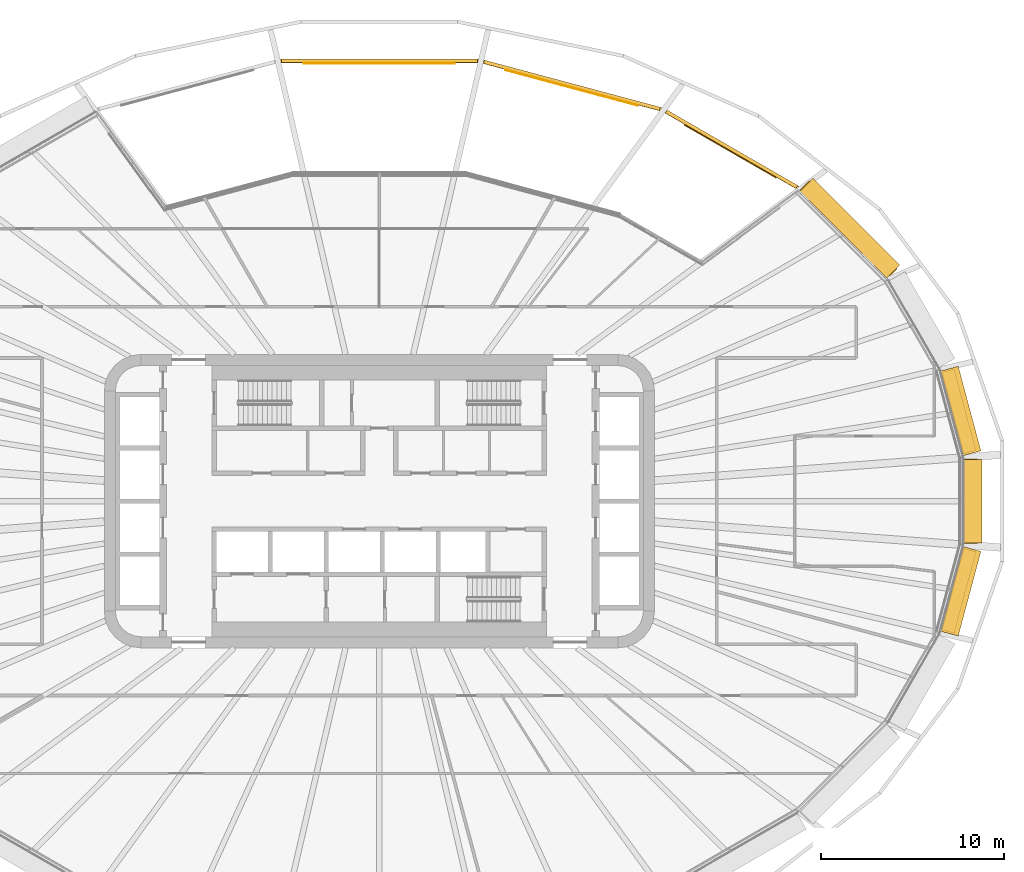
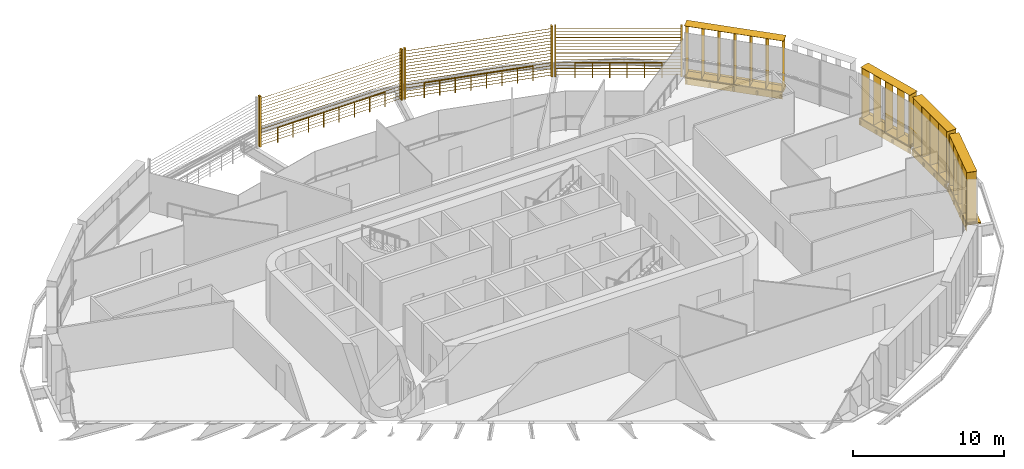
# One storey, part 24 of 24: 11 shading devices, 3 railings.
"""IFC4 building model written with IfcOpenShell, lengths in metres."""

from ifc_helpers import new_model, si_unit, direction, frame, origin, origin_2d, place, context, subcontext, project, spatial, rectangle, circle, extrude, material, type_object, element, save


model = new_model("IFC4")

# Units and contexts
model_context = context("Model", 3, precision=1e-05, world=origin(), true_north=direction((0.0, 1.0)))
body_context = subcontext(model_context, "Body", "Model", "MODEL_VIEW")
ifc_project = project(units=[si_unit("LENGTHUNIT", "METRE"), si_unit("AREAUNIT", "SQUARE_METRE"), si_unit("VOLUMEUNIT", "CUBIC_METRE"), si_unit("PLANEANGLEUNIT", "RADIAN"), si_unit("MASSUNIT", "GRAM", prefix="KILO")], contexts=[model_context])

# Site, building, storey
site_placement = place(None, origin())
site = spatial("IfcSite", under=ifc_project, at=site_placement, CompositionType="ELEMENT")
building_placement = place(site_placement, origin())
building = spatial("IfcBuilding", under=site, at=building_placement, Name="Sahrelin Media Tower", CompositionType="ELEMENT")
storey_placement = place(building_placement, frame((0.0, 0.0, 123.0)))
storey = spatial("IfcBuildingStorey", under=building, at=storey_placement, Name="L24", CompositionType="ELEMENT", Elevation=123.0)

# Shading devices
ifc_material_1 = material(Name="Champagne anodised aluminium 6063-T6", Category="aluminium")
shading_device_type_1 = type_object("IfcShadingDeviceType", Name="Fin cassette", PredefinedType="USERDEFINED", material=ifc_material_1)
placement_1 = place(storey_placement, frame((31.84228515625, 0.0, 0.0), z_axis=(0.0, 0.0, 1.0), x_axis=(0.0, -1.0, 0.0)))
element("IfcShadingDevice", 1, at=placement_1, inside=storey, type_object=shading_device_type_1, Name="L24:FIN:L24-00", ObjectType="FIN", PredefinedType="USERDEFINED", context=body_context, shape_type="SweptSolid", body=[
    extrude(rectangle(XDim=4.60009765625, YDim=0.699951171875, at=origin_2d()), frame((0.0, 0.419921875, 0.0)), (0.0, 0.0, 1.0), 0.02001953125),
    extrude(rectangle(XDim=4.60009765625, YDim=0.699951171875, at=origin_2d()), frame((0.0, 0.419921875, 4.10009765625)), (0.0, 0.0, 1.0), 0.02001953125),
    extrude(rectangle(XDim=0.02001953125, YDim=0.699951171875, at=origin_2d()), frame((-2.199951171875, 0.419921875, 0.010009765625), z_axis=(0.0, 0.0, 1.0), x_axis=(1.0, 0.0, 0.0)), (0.0, 0.0, 1.0), 4.10009765625),
    extrude(rectangle(XDim=0.02001953125, YDim=0.699951171875, at=origin_2d()), frame((-1.10009765625, 0.419921875, 0.010009765625), z_axis=(0.0, 0.0, 1.0), x_axis=(1.0, 0.0, 0.0)), (0.0, 0.0, 1.0), 4.10009765625),
    extrude(rectangle(XDim=0.02001953125, YDim=0.699951171875, at=origin_2d()), frame((0.0, 0.419921875, 0.010009765625), z_axis=(0.0, 0.0, 1.0), x_axis=(1.0, 0.0, 0.0)), (0.0, 0.0, 1.0), 4.10009765625),
    extrude(rectangle(XDim=0.02001953125, YDim=0.699951171875, at=origin_2d()), frame((1.10009765625, 0.419921875, 0.010009765625), z_axis=(0.0, 0.0, 1.0), x_axis=(1.0, 0.0, 0.0)), (0.0, 0.0, 1.0), 4.10009765625),
    extrude(rectangle(XDim=0.02001953125, YDim=0.699951171875, at=origin_2d()), frame((2.199951171875, 0.419921875, 0.010009765625), z_axis=(0.0, 0.0, 1.0), x_axis=(1.0, 0.0, 0.0)), (0.0, 0.0, 1.0), 4.10009765625),
])
placement_2 = place(storey_placement, frame((31.198486328125, 4.78271484375, 0.0), z_axis=(0.0, 0.0, 1.0), x_axis=(0.258807731996, -0.965928857556, 0.0)))
element("IfcShadingDevice", 2, at=placement_2, inside=storey, type_object=shading_device_type_1, Name="L24:FIN:L24-01", ObjectType="FIN", PredefinedType="USERDEFINED", context=body_context, shape_type="SweptSolid", body=[
    extrude(rectangle(XDim=4.60009765625, YDim=0.699951171875, at=origin_2d()), frame((0.0, 0.419921875, 0.0)), (0.0, 0.0, 1.0), 0.02001953125),
    extrude(rectangle(XDim=4.60009765625, YDim=0.699951171875, at=origin_2d()), frame((0.0, 0.419921875, 4.10009765625)), (0.0, 0.0, 1.0), 0.02001953125),
    extrude(rectangle(XDim=0.02001953125, YDim=0.699951171875, at=origin_2d()), frame((-2.199951171875, 0.419921875, 0.010009765625), z_axis=(0.0, 0.0, 1.0), x_axis=(1.0, 0.0, 0.0)), (0.0, 0.0, 1.0), 4.10009765625),
    extrude(rectangle(XDim=0.02001953125, YDim=0.699951171875, at=origin_2d()), frame((-1.10009765625, 0.419921875, 0.010009765625), z_axis=(0.0, 0.0, 1.0), x_axis=(1.0, 0.0, 0.0)), (0.0, 0.0, 1.0), 4.10009765625),
    extrude(rectangle(XDim=0.02001953125, YDim=0.699951171875, at=origin_2d()), frame((0.0, 0.419921875, 0.010009765625), z_axis=(0.0, 0.0, 1.0), x_axis=(1.0, 0.0, 0.0)), (0.0, 0.0, 1.0), 4.10009765625),
    extrude(rectangle(XDim=0.02001953125, YDim=0.699951171875, at=origin_2d()), frame((1.10009765625, 0.419921875, 0.010009765625), z_axis=(0.0, 0.0, 1.0), x_axis=(1.0, 0.0, 0.0)), (0.0, 0.0, 1.0), 4.10009765625),
    extrude(rectangle(XDim=0.02001953125, YDim=0.699951171875, at=origin_2d()), frame((2.199951171875, 0.419921875, 0.010009765625), z_axis=(0.0, 0.0, 1.0), x_axis=(1.0, 0.0, 0.0)), (0.0, 0.0, 1.0), 4.10009765625),
])
placement_3 = place(storey_placement, frame((25.291259765625, 14.52197265625, 0.0), z_axis=(0.0, 0.0, 1.0), x_axis=(0.707106781187, -0.707106781187, 0.0)))
element("IfcShadingDevice", 3, at=placement_3, inside=storey, type_object=shading_device_type_1, Name="L24:FIN:L24-03", ObjectType="FIN", PredefinedType="USERDEFINED", context=body_context, shape_type="SweptSolid", body=[
    extrude(rectangle(XDim=6.800048828125, YDim=0.699951171875, at=origin_2d()), frame((0.0, 0.419921875, 0.0)), (0.0, 0.0, 1.0), 0.02001953125),
    extrude(rectangle(XDim=6.800048828125, YDim=0.699951171875, at=origin_2d()), frame((0.0, 0.419921875, 4.10009765625)), (0.0, 0.0, 1.0), 0.02001953125),
    extrude(rectangle(XDim=0.02001953125, YDim=0.699951171875, at=origin_2d()), frame((-3.300048828125, 0.419921875, 0.010009765625), z_axis=(0.0, 0.0, 1.0), x_axis=(1.0, 0.0, 0.0)), (0.0, 0.0, 1.0), 4.10009765625),
    extrude(rectangle(XDim=0.02001953125, YDim=0.699951171875, at=origin_2d()), frame((-2.199951171875, 0.419921875, 0.010009765625), z_axis=(0.0, 0.0, 1.0), x_axis=(1.0, 0.0, 0.0)), (0.0, 0.0, 1.0), 4.10009765625),
    extrude(rectangle(XDim=0.02001953125, YDim=0.699951171875, at=origin_2d()), frame((-1.10009765625, 0.419921875, 0.010009765625), z_axis=(0.0, 0.0, 1.0), x_axis=(1.0, 0.0, 0.0)), (0.0, 0.0, 1.0), 4.10009765625),
    extrude(rectangle(XDim=0.02001953125, YDim=0.699951171875, at=origin_2d()), frame((0.0, 0.419921875, 0.010009765625), z_axis=(0.0, 0.0, 1.0), x_axis=(1.0, 0.0, 0.0)), (0.0, 0.0, 1.0), 4.10009765625),
    extrude(rectangle(XDim=0.02001953125, YDim=0.699951171875, at=origin_2d()), frame((1.10009765625, 0.419921875, 0.010009765625), z_axis=(0.0, 0.0, 1.0), x_axis=(1.0, 0.0, 0.0)), (0.0, 0.0, 1.0), 4.10009765625),
    extrude(rectangle(XDim=0.02001953125, YDim=0.699951171875, at=origin_2d()), frame((2.199951171875, 0.419921875, 0.010009765625), z_axis=(0.0, 0.0, 1.0), x_axis=(1.0, 0.0, 0.0)), (0.0, 0.0, 1.0), 4.10009765625),
    extrude(rectangle(XDim=0.02001953125, YDim=0.699951171875, at=origin_2d()), frame((3.300048828125, 0.419921875, 0.010009765625), z_axis=(0.0, 0.0, 1.0), x_axis=(1.0, 0.0, 0.0)), (0.0, 0.0, 1.0), 4.10009765625),
])
placement_4 = place(storey_placement, frame((31.198486328125, -4.78271484375, 0.0), z_axis=(0.0, 0.0, 1.0), x_axis=(-0.258807731996, -0.965928857556, 0.0)))
element("IfcShadingDevice", 4, at=placement_4, inside=storey, type_object=shading_device_type_1, Name="L24:FIN:L24-23", ObjectType="FIN", PredefinedType="USERDEFINED", context=body_context, shape_type="SweptSolid", body=[
    extrude(rectangle(XDim=4.60009765625, YDim=0.699951171875, at=origin_2d()), frame((0.0, 0.419921875, 0.0)), (0.0, 0.0, 1.0), 0.02001953125),
    extrude(rectangle(XDim=4.60009765625, YDim=0.699951171875, at=origin_2d()), frame((0.0, 0.419921875, 4.10009765625)), (0.0, 0.0, 1.0), 0.02001953125),
    extrude(rectangle(XDim=0.02001953125, YDim=0.699951171875, at=origin_2d()), frame((-2.199951171875, 0.419921875, 0.010009765625), z_axis=(0.0, 0.0, 1.0), x_axis=(1.0, 0.0, 0.0)), (0.0, 0.0, 1.0), 4.10009765625),
    extrude(rectangle(XDim=0.02001953125, YDim=0.699951171875, at=origin_2d()), frame((-1.10009765625, 0.419921875, 0.010009765625), z_axis=(0.0, 0.0, 1.0), x_axis=(1.0, 0.0, 0.0)), (0.0, 0.0, 1.0), 4.10009765625),
    extrude(rectangle(XDim=0.02001953125, YDim=0.699951171875, at=origin_2d()), frame((0.0, 0.419921875, 0.010009765625), z_axis=(0.0, 0.0, 1.0), x_axis=(1.0, 0.0, 0.0)), (0.0, 0.0, 1.0), 4.10009765625),
    extrude(rectangle(XDim=0.02001953125, YDim=0.699951171875, at=origin_2d()), frame((1.10009765625, 0.419921875, 0.010009765625), z_axis=(0.0, 0.0, 1.0), x_axis=(1.0, 0.0, 0.0)), (0.0, 0.0, 1.0), 4.10009765625),
    extrude(rectangle(XDim=0.02001953125, YDim=0.699951171875, at=origin_2d()), frame((2.199951171875, 0.419921875, 0.010009765625), z_axis=(0.0, 0.0, 1.0), x_axis=(1.0, 0.0, 0.0)), (0.0, 0.0, 1.0), 4.10009765625),
])
shading_device_type_2 = type_object("IfcShadingDeviceType", Name="Garden screen", PredefinedType="USERDEFINED", material=ifc_material_1)
shading_device_5_placement = place(storey_placement, frame((19.147216796875, 19.09716796875, 0.0), z_axis=(0.0, 0.0, 1.0), x_axis=(0.866019052629, -0.500011000363, 0.0)))
element("IfcShadingDevice", 5, at=shading_device_5_placement, inside=storey, type_object=shading_device_type_2, Name="L24:SCREEN:L24-04", ObjectType="SCREEN", PredefinedType="USERDEFINED", context=body_context, shape_type="SweptSolid", body=[
    extrude(rectangle(XDim=0.1201171875, YDim=0.199951171875, at=origin_2d()), frame((4.17626953125, 0.10009765625, 0.050048828125), z_axis=(0.0, 0.0, 1.0), x_axis=(1.0, 0.0, 0.0)), (0.0, 0.0, 1.0), 4.099853515625),
    extrude(rectangle(XDim=0.1201171875, YDim=0.199951171875, at=origin_2d()), frame((-4.17626953125, 0.10009765625, 0.050048828125), z_axis=(0.0, 0.0, 1.0), x_axis=(1.0, 0.0, 0.0)), (0.0, 0.0, 1.0), 4.099853515625),
    extrude(rectangle(XDim=0.25, YDim=0.02001953125, at=origin_2d()), frame((4.1162109375, 0.10009765625, 0.14990234375), z_axis=(-1.0, 0.0, 0.0), x_axis=(0.0, -0.766044443119, 0.642787609687)), (0.0, 0.0, 1.0), 8.232421875),
    extrude(rectangle(XDim=0.25, YDim=0.02001953125, at=origin_2d()), frame((4.1162109375, 0.10009765625, 0.39990234375), z_axis=(-1.0, 0.0, 0.0), x_axis=(0.0, -0.766044443119, 0.642787609687)), (0.0, 0.0, 1.0), 8.232421875),
    extrude(rectangle(XDim=0.25, YDim=0.02001953125, at=origin_2d()), frame((4.1162109375, 0.10009765625, 0.64990234375), z_axis=(-1.0, 0.0, 0.0), x_axis=(0.0, -0.766044443119, 0.642787609687)), (0.0, 0.0, 1.0), 8.232421875),
    extrude(rectangle(XDim=0.25, YDim=0.02001953125, at=origin_2d()), frame((4.1162109375, 0.10009765625, 0.89990234375), z_axis=(-1.0, 0.0, 0.0), x_axis=(0.0, -0.766044443119, 0.642787609687)), (0.0, 0.0, 1.0), 8.232421875),
    extrude(rectangle(XDim=0.25, YDim=0.02001953125, at=origin_2d()), frame((4.1162109375, 0.10009765625, 1.14990234375), z_axis=(-1.0, 0.0, 0.0), x_axis=(0.0, -0.766044443119, 0.642787609687)), (0.0, 0.0, 1.0), 8.232421875),
    extrude(rectangle(XDim=0.25, YDim=0.02001953125, at=origin_2d()), frame((4.1162109375, 0.10009765625, 1.39990234375), z_axis=(-1.0, 0.0, 0.0), x_axis=(0.0, -0.766044443119, 0.642787609687)), (0.0, 0.0, 1.0), 8.232421875),
    extrude(rectangle(XDim=0.25, YDim=0.02001953125, at=origin_2d()), frame((4.1162109375, 0.10009765625, 1.64990234375), z_axis=(-1.0, 0.0, 0.0), x_axis=(0.0, -0.766044443119, 0.642787609687)), (0.0, 0.0, 1.0), 8.232421875),
    extrude(rectangle(XDim=0.25, YDim=0.02001953125, at=origin_2d()), frame((4.1162109375, 0.10009765625, 1.89990234375), z_axis=(-1.0, 0.0, 0.0), x_axis=(0.0, -0.766044443119, 0.642787609687)), (0.0, 0.0, 1.0), 8.232421875),
    extrude(rectangle(XDim=0.25, YDim=0.02001953125, at=origin_2d()), frame((4.1162109375, 0.10009765625, 2.14990234375), z_axis=(-1.0, 0.0, 0.0), x_axis=(0.0, -0.766044443119, 0.642787609687)), (0.0, 0.0, 1.0), 8.232421875),
    extrude(rectangle(XDim=0.25, YDim=0.02001953125, at=origin_2d()), frame((4.1162109375, 0.10009765625, 2.39990234375), z_axis=(-1.0, 0.0, 0.0), x_axis=(0.0, -0.766044443119, 0.642787609687)), (0.0, 0.0, 1.0), 8.232421875),
    extrude(rectangle(XDim=0.25, YDim=0.02001953125, at=origin_2d()), frame((4.1162109375, 0.10009765625, 2.64990234375), z_axis=(-1.0, 0.0, 0.0), x_axis=(0.0, -0.766044443119, 0.642787609687)), (0.0, 0.0, 1.0), 8.232421875),
    extrude(rectangle(XDim=0.25, YDim=0.02001953125, at=origin_2d()), frame((4.1162109375, 0.10009765625, 2.89990234375), z_axis=(-1.0, 0.0, 0.0), x_axis=(0.0, -0.766044443119, 0.642787609687)), (0.0, 0.0, 1.0), 8.232421875),
    extrude(rectangle(XDim=0.25, YDim=0.02001953125, at=origin_2d()), frame((4.1162109375, 0.10009765625, 3.14990234375), z_axis=(-1.0, 0.0, 0.0), x_axis=(0.0, -0.766044443119, 0.642787609687)), (0.0, 0.0, 1.0), 8.232421875),
    extrude(rectangle(XDim=0.25, YDim=0.02001953125, at=origin_2d()), frame((4.1162109375, 0.10009765625, 3.39990234375), z_axis=(-1.0, 0.0, 0.0), x_axis=(0.0, -0.766044443119, 0.642787609687)), (0.0, 0.0, 1.0), 8.232421875),
    extrude(rectangle(XDim=0.25, YDim=0.02001953125, at=origin_2d()), frame((4.1162109375, 0.10009765625, 3.64990234375), z_axis=(-1.0, 0.0, 0.0), x_axis=(0.0, -0.766044443119, 0.642787609687)), (0.0, 0.0, 1.0), 8.232421875),
    extrude(rectangle(XDim=0.25, YDim=0.02001953125, at=origin_2d()), frame((4.1162109375, 0.10009765625, 3.89990234375), z_axis=(-1.0, 0.0, 0.0), x_axis=(0.0, -0.766044443119, 0.642787609687)), (0.0, 0.0, 1.0), 8.232421875),
])
shading_device_6_placement = place(storey_placement, frame((10.474609375, 22.569580078125, 0.0), z_axis=(0.0, 0.0, 1.0), x_axis=(0.965928857556, -0.258807731996, 0.0)))
element("IfcShadingDevice", 6, at=shading_device_6_placement, inside=storey, type_object=shading_device_type_2, Name="L24:SCREEN:L24-05", ObjectType="SCREEN", PredefinedType="USERDEFINED", context=body_context, shape_type="SweptSolid", body=[
    extrude(rectangle(XDim=0.1201171875, YDim=0.199951171875, at=origin_2d()), frame((5.025634765625, 0.10009765625, 0.050048828125), z_axis=(0.0, 0.0, 1.0), x_axis=(1.0, 0.0, 0.0)), (0.0, 0.0, 1.0), 4.099853515625),
    extrude(rectangle(XDim=0.1201171875, YDim=0.199951171875, at=origin_2d()), frame((-5.025634765625, 0.10009765625, 0.050048828125), z_axis=(0.0, 0.0, 1.0), x_axis=(1.0, 0.0, 0.0)), (0.0, 0.0, 1.0), 4.099853515625),
    extrude(rectangle(XDim=0.25, YDim=0.02001953125, at=origin_2d()), frame((4.9658203125, 0.10009765625, 0.14990234375), z_axis=(-1.0, 0.0, 0.0), x_axis=(0.0, -0.766044443119, 0.642787609687)), (0.0, 0.0, 1.0), 9.931640625),
    extrude(rectangle(XDim=0.25, YDim=0.02001953125, at=origin_2d()), frame((4.9658203125, 0.10009765625, 0.39990234375), z_axis=(-1.0, 0.0, 0.0), x_axis=(0.0, -0.766044443119, 0.642787609687)), (0.0, 0.0, 1.0), 9.931640625),
    extrude(rectangle(XDim=0.25, YDim=0.02001953125, at=origin_2d()), frame((4.9658203125, 0.10009765625, 0.64990234375), z_axis=(-1.0, 0.0, 0.0), x_axis=(0.0, -0.766044443119, 0.642787609687)), (0.0, 0.0, 1.0), 9.931640625),
    extrude(rectangle(XDim=0.25, YDim=0.02001953125, at=origin_2d()), frame((4.9658203125, 0.10009765625, 0.89990234375), z_axis=(-1.0, 0.0, 0.0), x_axis=(0.0, -0.766044443119, 0.642787609687)), (0.0, 0.0, 1.0), 9.931640625),
    extrude(rectangle(XDim=0.25, YDim=0.02001953125, at=origin_2d()), frame((4.9658203125, 0.10009765625, 1.14990234375), z_axis=(-1.0, 0.0, 0.0), x_axis=(0.0, -0.766044443119, 0.642787609687)), (0.0, 0.0, 1.0), 9.931640625),
    extrude(rectangle(XDim=0.25, YDim=0.02001953125, at=origin_2d()), frame((4.9658203125, 0.10009765625, 1.39990234375), z_axis=(-1.0, 0.0, 0.0), x_axis=(0.0, -0.766044443119, 0.642787609687)), (0.0, 0.0, 1.0), 9.931640625),
    extrude(rectangle(XDim=0.25, YDim=0.02001953125, at=origin_2d()), frame((4.9658203125, 0.10009765625, 1.64990234375), z_axis=(-1.0, 0.0, 0.0), x_axis=(0.0, -0.766044443119, 0.642787609687)), (0.0, 0.0, 1.0), 9.931640625),
    extrude(rectangle(XDim=0.25, YDim=0.02001953125, at=origin_2d()), frame((4.9658203125, 0.10009765625, 1.89990234375), z_axis=(-1.0, 0.0, 0.0), x_axis=(0.0, -0.766044443119, 0.642787609687)), (0.0, 0.0, 1.0), 9.931640625),
    extrude(rectangle(XDim=0.25, YDim=0.02001953125, at=origin_2d()), frame((4.9658203125, 0.10009765625, 2.14990234375), z_axis=(-1.0, 0.0, 0.0), x_axis=(0.0, -0.766044443119, 0.642787609687)), (0.0, 0.0, 1.0), 9.931640625),
    extrude(rectangle(XDim=0.25, YDim=0.02001953125, at=origin_2d()), frame((4.9658203125, 0.10009765625, 2.39990234375), z_axis=(-1.0, 0.0, 0.0), x_axis=(0.0, -0.766044443119, 0.642787609687)), (0.0, 0.0, 1.0), 9.931640625),
    extrude(rectangle(XDim=0.25, YDim=0.02001953125, at=origin_2d()), frame((4.9658203125, 0.10009765625, 2.64990234375), z_axis=(-1.0, 0.0, 0.0), x_axis=(0.0, -0.766044443119, 0.642787609687)), (0.0, 0.0, 1.0), 9.931640625),
    extrude(rectangle(XDim=0.25, YDim=0.02001953125, at=origin_2d()), frame((4.9658203125, 0.10009765625, 2.89990234375), z_axis=(-1.0, 0.0, 0.0), x_axis=(0.0, -0.766044443119, 0.642787609687)), (0.0, 0.0, 1.0), 9.931640625),
    extrude(rectangle(XDim=0.25, YDim=0.02001953125, at=origin_2d()), frame((4.9658203125, 0.10009765625, 3.14990234375), z_axis=(-1.0, 0.0, 0.0), x_axis=(0.0, -0.766044443119, 0.642787609687)), (0.0, 0.0, 1.0), 9.931640625),
    extrude(rectangle(XDim=0.25, YDim=0.02001953125, at=origin_2d()), frame((4.9658203125, 0.10009765625, 3.39990234375), z_axis=(-1.0, 0.0, 0.0), x_axis=(0.0, -0.766044443119, 0.642787609687)), (0.0, 0.0, 1.0), 9.931640625),
    extrude(rectangle(XDim=0.25, YDim=0.02001953125, at=origin_2d()), frame((4.9658203125, 0.10009765625, 3.64990234375), z_axis=(-1.0, 0.0, 0.0), x_axis=(0.0, -0.766044443119, 0.642787609687)), (0.0, 0.0, 1.0), 9.931640625),
    extrude(rectangle(XDim=0.25, YDim=0.02001953125, at=origin_2d()), frame((4.9658203125, 0.10009765625, 3.89990234375), z_axis=(-1.0, 0.0, 0.0), x_axis=(0.0, -0.766044443119, 0.642787609687)), (0.0, 0.0, 1.0), 9.931640625),
])
shading_device_7_placement = place(storey_placement, frame((0.0, 23.898681640625, 0.0), z_axis=(0.0, 0.0, 1.0), x_axis=(1.0, 0.0, 0.0)))
element("IfcShadingDevice", 7, at=shading_device_7_placement, inside=storey, type_object=shading_device_type_2, Name="L24:SCREEN:L24-06", ObjectType="SCREEN", PredefinedType="USERDEFINED", context=body_context, shape_type="SweptSolid", body=[
    extrude(rectangle(XDim=0.1201171875, YDim=0.199951171875, at=origin_2d()), frame((5.40380859375, 0.10009765625, 0.050048828125), z_axis=(0.0, 0.0, 1.0), x_axis=(1.0, 0.0, 0.0)), (0.0, 0.0, 1.0), 4.099853515625),
    extrude(rectangle(XDim=0.1201171875, YDim=0.199951171875, at=origin_2d()), frame((-5.40380859375, 0.10009765625, 0.050048828125), z_axis=(0.0, 0.0, 1.0), x_axis=(1.0, 0.0, 0.0)), (0.0, 0.0, 1.0), 4.099853515625),
    extrude(rectangle(XDim=0.25, YDim=0.02001953125, at=origin_2d()), frame((5.34375, 0.10009765625, 0.14990234375), z_axis=(-1.0, 0.0, 0.0), x_axis=(0.0, -0.766044443119, 0.642787609687)), (0.0, 0.0, 1.0), 10.6875),
    extrude(rectangle(XDim=0.25, YDim=0.02001953125, at=origin_2d()), frame((5.34375, 0.10009765625, 0.39990234375), z_axis=(-1.0, 0.0, 0.0), x_axis=(0.0, -0.766044443119, 0.642787609687)), (0.0, 0.0, 1.0), 10.6875),
    extrude(rectangle(XDim=0.25, YDim=0.02001953125, at=origin_2d()), frame((5.34375, 0.10009765625, 0.64990234375), z_axis=(-1.0, 0.0, 0.0), x_axis=(0.0, -0.766044443119, 0.642787609687)), (0.0, 0.0, 1.0), 10.6875),
    extrude(rectangle(XDim=0.25, YDim=0.02001953125, at=origin_2d()), frame((5.34375, 0.10009765625, 0.89990234375), z_axis=(-1.0, 0.0, 0.0), x_axis=(0.0, -0.766044443119, 0.642787609687)), (0.0, 0.0, 1.0), 10.6875),
    extrude(rectangle(XDim=0.25, YDim=0.02001953125, at=origin_2d()), frame((5.34375, 0.10009765625, 1.14990234375), z_axis=(-1.0, 0.0, 0.0), x_axis=(0.0, -0.766044443119, 0.642787609687)), (0.0, 0.0, 1.0), 10.6875),
    extrude(rectangle(XDim=0.25, YDim=0.02001953125, at=origin_2d()), frame((5.34375, 0.10009765625, 1.39990234375), z_axis=(-1.0, 0.0, 0.0), x_axis=(0.0, -0.766044443119, 0.642787609687)), (0.0, 0.0, 1.0), 10.6875),
    extrude(rectangle(XDim=0.25, YDim=0.02001953125, at=origin_2d()), frame((5.34375, 0.10009765625, 1.64990234375), z_axis=(-1.0, 0.0, 0.0), x_axis=(0.0, -0.766044443119, 0.642787609687)), (0.0, 0.0, 1.0), 10.6875),
    extrude(rectangle(XDim=0.25, YDim=0.02001953125, at=origin_2d()), frame((5.34375, 0.10009765625, 1.89990234375), z_axis=(-1.0, 0.0, 0.0), x_axis=(0.0, -0.766044443119, 0.642787609687)), (0.0, 0.0, 1.0), 10.6875),
    extrude(rectangle(XDim=0.25, YDim=0.02001953125, at=origin_2d()), frame((5.34375, 0.10009765625, 2.14990234375), z_axis=(-1.0, 0.0, 0.0), x_axis=(0.0, -0.766044443119, 0.642787609687)), (0.0, 0.0, 1.0), 10.6875),
    extrude(rectangle(XDim=0.25, YDim=0.02001953125, at=origin_2d()), frame((5.34375, 0.10009765625, 2.39990234375), z_axis=(-1.0, 0.0, 0.0), x_axis=(0.0, -0.766044443119, 0.642787609687)), (0.0, 0.0, 1.0), 10.6875),
    extrude(rectangle(XDim=0.25, YDim=0.02001953125, at=origin_2d()), frame((5.34375, 0.10009765625, 2.64990234375), z_axis=(-1.0, 0.0, 0.0), x_axis=(0.0, -0.766044443119, 0.642787609687)), (0.0, 0.0, 1.0), 10.6875),
    extrude(rectangle(XDim=0.25, YDim=0.02001953125, at=origin_2d()), frame((5.34375, 0.10009765625, 2.89990234375), z_axis=(-1.0, 0.0, 0.0), x_axis=(0.0, -0.766044443119, 0.642787609687)), (0.0, 0.0, 1.0), 10.6875),
    extrude(rectangle(XDim=0.25, YDim=0.02001953125, at=origin_2d()), frame((5.34375, 0.10009765625, 3.14990234375), z_axis=(-1.0, 0.0, 0.0), x_axis=(0.0, -0.766044443119, 0.642787609687)), (0.0, 0.0, 1.0), 10.6875),
    extrude(rectangle(XDim=0.25, YDim=0.02001953125, at=origin_2d()), frame((5.34375, 0.10009765625, 3.39990234375), z_axis=(-1.0, 0.0, 0.0), x_axis=(0.0, -0.766044443119, 0.642787609687)), (0.0, 0.0, 1.0), 10.6875),
    extrude(rectangle(XDim=0.25, YDim=0.02001953125, at=origin_2d()), frame((5.34375, 0.10009765625, 3.64990234375), z_axis=(-1.0, 0.0, 0.0), x_axis=(0.0, -0.766044443119, 0.642787609687)), (0.0, 0.0, 1.0), 10.6875),
    extrude(rectangle(XDim=0.25, YDim=0.02001953125, at=origin_2d()), frame((5.34375, 0.10009765625, 3.89990234375), z_axis=(-1.0, 0.0, 0.0), x_axis=(0.0, -0.766044443119, 0.642787609687)), (0.0, 0.0, 1.0), 10.6875),
])

# Railings
ifc_material_2 = material(Name="Stainless steel 316", Category="steel")
railing_type = type_object("IfcRailingType", Name="Sky garden guard", PredefinedType="GUARDRAIL", material=ifc_material_2)
railing_1_placement = place(storey_placement, frame((-4.095947265625, 23.876220703125, 0.0)))
element("IfcRailing", 8, at=railing_1_placement, inside=storey, type_object=railing_type, Name="Sky garden void guard G2-3", PredefinedType="GUARDRAIL", context=body_context, shape_type="SweptSolid", body=[
    extrude(circle(Radius=0.02392578125, at=origin_2d()), frame((0.0, 0.0, 1.17578125), z_axis=(1.0, 0.0, 0.0), x_axis=(0.0, 1.0, 0.0)), (0.0, 0.0, 1.0), 8.19189453125),
    extrude(circle(Radius=0.02099609375, at=origin_2d()), origin(), (0.0, 0.0, 1.0), 1.15185546875),
    extrude(circle(Radius=0.02099609375, at=origin_2d()), frame((1.170166015625, 0.0, 0.0)), (0.0, 0.0, 1.0), 1.15185546875),
    extrude(circle(Radius=0.02099609375, at=origin_2d()), frame((2.340576171875, 0.0, 0.0)), (0.0, 0.0, 1.0), 1.15185546875),
    extrude(circle(Radius=0.02099609375, at=origin_2d()), frame((3.5107421875, 0.0, 0.0)), (0.0, 0.0, 1.0), 1.15185546875),
    extrude(circle(Radius=0.02099609375, at=origin_2d()), frame((4.68115234375, 0.0, 0.0)), (0.0, 0.0, 1.0), 1.15185546875),
    extrude(circle(Radius=0.02099609375, at=origin_2d()), frame((5.851318359375, 0.0, 0.0)), (0.0, 0.0, 1.0), 1.15185546875),
    extrude(circle(Radius=0.02099609375, at=origin_2d()), frame((7.021728515625, 0.0, 0.0)), (0.0, 0.0, 1.0), 1.15185546875),
    extrude(circle(Radius=0.02099609375, at=origin_2d()), frame((8.19189453125, 0.0, 0.0)), (0.0, 0.0, 1.0), 1.15185546875),
])
railing_2_placement = place(storey_placement, frame((6.872802734375, 23.51123046875, 0.0)))
element("IfcRailing", 9, at=railing_2_placement, inside=storey, type_object=railing_type, Name="Sky garden void guard G2-4", PredefinedType="GUARDRAIL", context=body_context, shape_type="SweptSolid", body=[
    extrude(circle(Radius=0.02392578125, at=origin_2d()), frame((0.0, 0.0, 1.17578125), z_axis=(0.965928873684, -0.258807671802, 0.0), x_axis=(0.258807671802, 0.965928873684, 0.0)), (0.0, 0.0, 1.0), 7.44384765625),
    extrude(circle(Radius=0.02099609375, at=origin_2d()), origin(), (0.0, 0.0, 1.0), 1.15185546875),
    extrude(circle(Radius=0.02099609375, at=origin_2d()), frame((1.027099609375, -0.275146484375, 0.0)), (0.0, 0.0, 1.0), 1.15185546875),
    extrude(circle(Radius=0.02099609375, at=origin_2d()), frame((2.054443359375, -0.550537109375, 0.0)), (0.0, 0.0, 1.0), 1.15185546875),
    extrude(circle(Radius=0.02099609375, at=origin_2d()), frame((3.08154296875, -0.82568359375, 0.0)), (0.0, 0.0, 1.0), 1.15185546875),
    extrude(circle(Radius=0.02099609375, at=origin_2d()), frame((4.108642578125, -1.100830078125, 0.0)), (0.0, 0.0, 1.0), 1.15185546875),
    extrude(circle(Radius=0.02099609375, at=origin_2d()), frame((5.1357421875, -1.3759765625, 0.0)), (0.0, 0.0, 1.0), 1.15185546875),
    extrude(circle(Radius=0.02099609375, at=origin_2d()), frame((6.1630859375, -1.6513671875, 0.0)), (0.0, 0.0, 1.0), 1.15185546875),
    extrude(circle(Radius=0.02099609375, at=origin_2d()), frame((7.190185546875, -1.926513671875, 0.0)), (0.0, 0.0, 1.0), 1.15185546875),
])
railing_3_placement = place(storey_placement, frame((16.649169921875, 20.513427734375, 0.0)))
element("IfcRailing", 10, at=railing_3_placement, inside=storey, type_object=railing_type, Name="Sky garden void guard G2-5", PredefinedType="GUARDRAIL", context=body_context, shape_type="SweptSolid", body=[
    extrude(circle(Radius=0.02392578125, at=origin_2d()), frame((0.0, 0.0, 1.17578125), z_axis=(0.866019265137, -0.500010632298, 0.0), x_axis=(0.500010632298, 0.866019265137, 0.0)), (0.0, 0.0, 1.0), 5.744384765625),
    extrude(circle(Radius=0.02099609375, at=origin_2d()), origin(), (0.0, 0.0, 1.0), 1.15185546875),
    extrude(circle(Radius=0.02099609375, at=origin_2d()), frame((0.994873046875, -0.574462890625, 0.0)), (0.0, 0.0, 1.0), 1.15185546875),
    extrude(circle(Radius=0.02099609375, at=origin_2d()), frame((1.989990234375, -1.14892578125, 0.0)), (0.0, 0.0, 1.0), 1.15185546875),
    extrude(circle(Radius=0.02099609375, at=origin_2d()), frame((2.98486328125, -1.723388671875, 0.0)), (0.0, 0.0, 1.0), 1.15185546875),
    extrude(circle(Radius=0.02099609375, at=origin_2d()), frame((3.97998046875, -2.2978515625, 0.0)), (0.0, 0.0, 1.0), 1.15185546875),
    extrude(circle(Radius=0.02099609375, at=origin_2d()), frame((4.974853515625, -2.872314453125, 0.0)), (0.0, 0.0, 1.0), 1.15185546875),
])

# Shading devices
shading_device_type_3 = type_object("IfcShadingDeviceType", Name="Sunshade band", PredefinedType="USERDEFINED", material=ifc_material_1)
element("IfcShadingDevice", 11, at=placement_1, inside=storey, type_object=shading_device_type_3, Name="L24:SUN:L24-00", ObjectType="SUNSHADE", PredefinedType="USERDEFINED", context=body_context, shape_type="SweptSolid", body=[
    extrude(rectangle(XDim=4.558349609375, YDim=0.050048828125, at=origin_2d()), frame((0.0, 0.044921875, -0.55126953125)), (0.0, 0.0, 1.0), 0.471435546875),
    extrude(rectangle(XDim=4.558349609375, YDim=1.0, at=origin_2d()), frame((0.0, 0.52001953125, -0.080078125)), (0.0, 0.0, 1.0), 0.080078125),
    extrude(rectangle(XDim=0.10009765625, YDim=0.074951171875, at=origin_2d()), frame((-2.17919921875, -0.017578125, -0.47021484375)), (0.0, 0.0, 1.0), 0.300048828125),
    extrude(rectangle(XDim=0.10009765625, YDim=0.074951171875, at=origin_2d()), frame((-0.726318359375, -0.017578125, -0.47021484375)), (0.0, 0.0, 1.0), 0.300048828125),
    extrude(rectangle(XDim=0.10009765625, YDim=0.074951171875, at=origin_2d()), frame((0.726318359375, -0.017578125, -0.47021484375)), (0.0, 0.0, 1.0), 0.300048828125),
    extrude(rectangle(XDim=0.10009765625, YDim=0.074951171875, at=origin_2d()), frame((2.17919921875, -0.017578125, -0.47021484375)), (0.0, 0.0, 1.0), 0.300048828125),
])
element("IfcShadingDevice", 12, at=placement_2, inside=storey, type_object=shading_device_type_3, Name="L24:SUN:L24-01", ObjectType="SUNSHADE", PredefinedType="USERDEFINED", context=body_context, shape_type="SweptSolid", body=[
    extrude(rectangle(XDim=4.776611328125, YDim=0.050048828125, at=origin_2d()), frame((0.0, 0.044921875, -0.55126953125)), (0.0, 0.0, 1.0), 0.471435546875),
    extrude(rectangle(XDim=4.776611328125, YDim=1.0, at=origin_2d()), frame((0.0, 0.52001953125, -0.080078125)), (0.0, 0.0, 1.0), 0.080078125),
    extrude(rectangle(XDim=0.10009765625, YDim=0.074951171875, at=origin_2d()), frame((-2.288330078125, -0.017578125, -0.47021484375)), (0.0, 0.0, 1.0), 0.300048828125),
    extrude(rectangle(XDim=0.10009765625, YDim=0.074951171875, at=origin_2d()), frame((-0.7626953125, -0.017578125, -0.47021484375)), (0.0, 0.0, 1.0), 0.300048828125),
    extrude(rectangle(XDim=0.10009765625, YDim=0.074951171875, at=origin_2d()), frame((0.7626953125, -0.017578125, -0.47021484375)), (0.0, 0.0, 1.0), 0.300048828125),
    extrude(rectangle(XDim=0.10009765625, YDim=0.074951171875, at=origin_2d()), frame((2.288330078125, -0.017578125, -0.47021484375)), (0.0, 0.0, 1.0), 0.300048828125),
])
element("IfcShadingDevice", 13, at=placement_3, inside=storey, type_object=shading_device_type_3, Name="L24:SUN:L24-03", ObjectType="SUNSHADE", PredefinedType="USERDEFINED", context=body_context, shape_type="SweptSolid", body=[
    extrude(rectangle(XDim=6.6787109375, YDim=0.050048828125, at=origin_2d()), frame((0.0, 0.044921875, -0.55126953125)), (0.0, 0.0, 1.0), 0.471435546875),
    extrude(rectangle(XDim=6.6787109375, YDim=1.0, at=origin_2d()), frame((0.0, 0.52001953125, -0.080078125)), (0.0, 0.0, 1.0), 0.080078125),
    extrude(rectangle(XDim=0.10009765625, YDim=0.074951171875, at=origin_2d()), frame((-3.239501953125, -0.017578125, -0.47021484375)), (0.0, 0.0, 1.0), 0.300048828125),
    extrude(rectangle(XDim=0.10009765625, YDim=0.074951171875, at=origin_2d()), frame((-1.61962890625, -0.017578125, -0.47021484375)), (0.0, 0.0, 1.0), 0.300048828125),
    extrude(rectangle(XDim=0.10009765625, YDim=0.074951171875, at=origin_2d()), frame((0.0, -0.017578125, -0.47021484375)), (0.0, 0.0, 1.0), 0.300048828125),
    extrude(rectangle(XDim=0.10009765625, YDim=0.074951171875, at=origin_2d()), frame((1.61962890625, -0.017578125, -0.47021484375)), (0.0, 0.0, 1.0), 0.300048828125),
    extrude(rectangle(XDim=0.10009765625, YDim=0.074951171875, at=origin_2d()), frame((3.239501953125, -0.017578125, -0.47021484375)), (0.0, 0.0, 1.0), 0.300048828125),
])
element("IfcShadingDevice", 14, at=placement_4, inside=storey, type_object=shading_device_type_3, Name="L24:SUN:L24-23", ObjectType="SUNSHADE", PredefinedType="USERDEFINED", context=body_context, shape_type="SweptSolid", body=[
    extrude(rectangle(XDim=4.776611328125, YDim=0.050048828125, at=origin_2d()), frame((0.0, 0.044921875, -0.55126953125)), (0.0, 0.0, 1.0), 0.471435546875),
    extrude(rectangle(XDim=4.776611328125, YDim=1.0, at=origin_2d()), frame((0.0, 0.52001953125, -0.080078125)), (0.0, 0.0, 1.0), 0.080078125),
    extrude(rectangle(XDim=0.10009765625, YDim=0.074951171875, at=origin_2d()), frame((-2.288330078125, -0.017578125, -0.47021484375)), (0.0, 0.0, 1.0), 0.300048828125),
    extrude(rectangle(XDim=0.10009765625, YDim=0.074951171875, at=origin_2d()), frame((-0.7626953125, -0.017578125, -0.47021484375)), (0.0, 0.0, 1.0), 0.300048828125),
    extrude(rectangle(XDim=0.10009765625, YDim=0.074951171875, at=origin_2d()), frame((0.7626953125, -0.017578125, -0.47021484375)), (0.0, 0.0, 1.0), 0.300048828125),
    extrude(rectangle(XDim=0.10009765625, YDim=0.074951171875, at=origin_2d()), frame((2.288330078125, -0.017578125, -0.47021484375)), (0.0, 0.0, 1.0), 0.300048828125),
])

save(model, "model.ifc")
